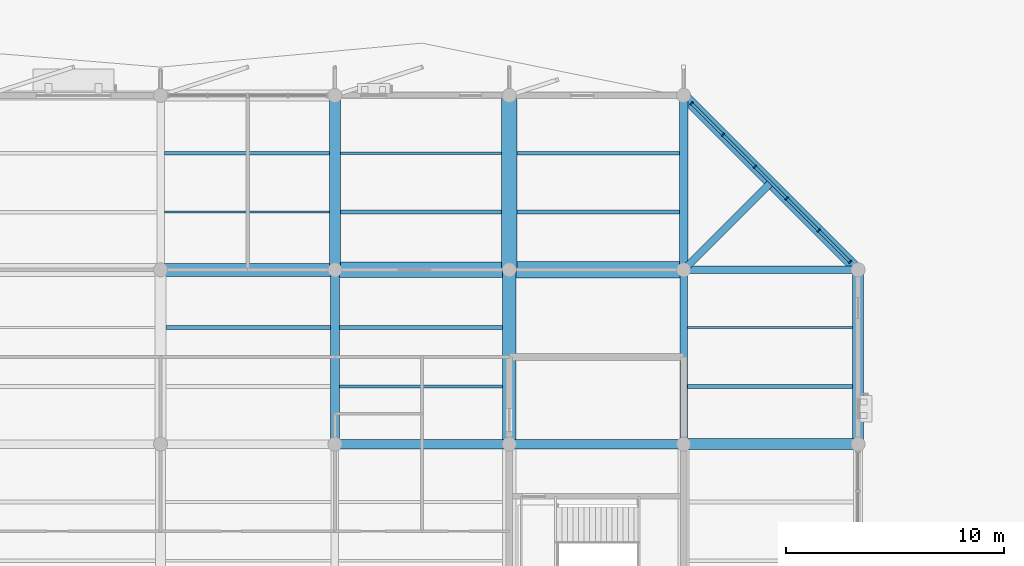
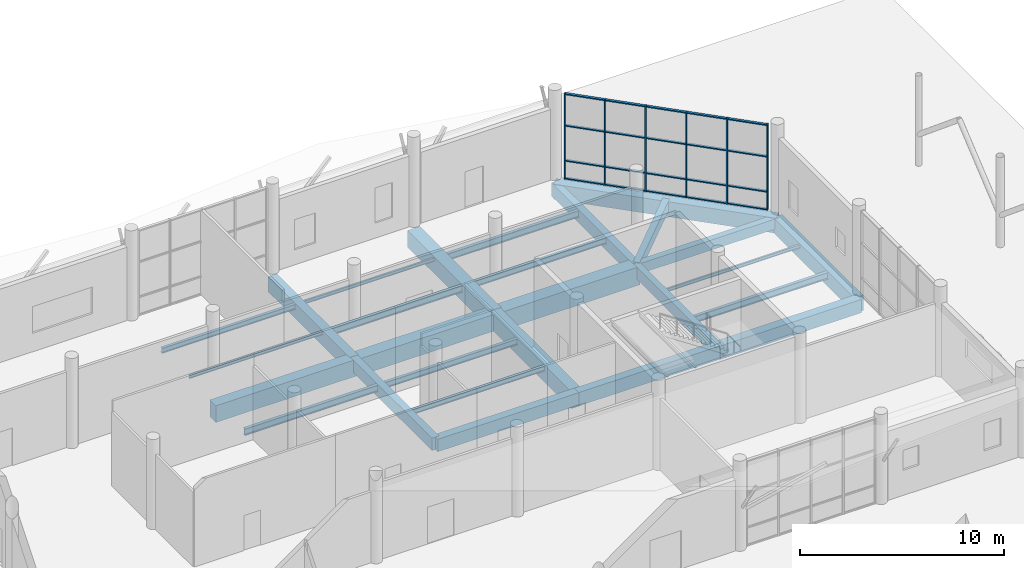
# One storey, part 60 of 123: 27 beams, 26 members, 1 element without a shape of its own.
"""IFC4 building model written with IfcOpenShell, lengths in metres."""

import ifcopenshell
import ifcopenshell.guid

model = None  # the IFC model being written
_history = None  # IfcOwnerHistory: only IFC2X3 demands one
_inside = {}  # id of a spatial element -> (the spatial element, [elements in it])
_under = {}  # id of a project, library or spatial element -> (it, [spatial elements below it])
_declared = {}  # id of a project -> (the project, [libraries it declares])
_typed = {}  # id of a type object -> (the type object, [elements of that type])
_made_of = {}  # id of a material, layer set ... -> (it, [elements and type objects made of it])


def new_model(schema):
    """Start an empty IFC model of exactly this schema.

    Asked for "IFC4X3", IfcOpenShell would pick the latest addendum, in which some entities
    have other attributes; the version numbers below select the first issue.
    IFC2X3 requires an IfcOwnerHistory on every rooted entity: one is made here for all.
    """
    global model, _history
    if schema == "IFC4X3":
        model = ifcopenshell.file(schema_version=(4, 3, 0, 0))
    else:
        model = ifcopenshell.file(schema=schema)
    _inside.clear()
    _under.clear()
    _declared.clear()
    _typed.clear()
    _made_of.clear()
    _history = None
    if model.schema == "IFC2X3":
        org = make("IfcOrganization", Name="unknown")
        user = make(
            "IfcPersonAndOrganization",
            ThePerson=make("IfcPerson", FamilyName="unknown"),
            TheOrganization=org,
        )
        app = make(
            "IfcApplication",
            ApplicationDeveloper=org,
            Version="unknown",
            ApplicationFullName="unknown",
            ApplicationIdentifier="unknown",
        )
        _history = make(
            "IfcOwnerHistory",
            OwningUser=user,
            OwningApplication=app,
            ChangeAction="ADDED",
            CreationDate=0,
        )
    return model


def make(cls, **values):
    """One entity of the class cls with the attributes given. An attribute that is None is left unset."""
    return model.create_entity(
        cls, **{name: value for name, value in values.items() if value is not None}
    )


def rooted(cls, **values):
    """An entity with a GlobalId (a new one), such as an element, a storey or a relation."""
    return make(cls, GlobalId=ifcopenshell.guid.new(), OwnerHistory=_history, **values)


def si_unit(unit_type, name, prefix=None):
    """IfcSIUnit, for example si_unit("LENGTHUNIT", "METRE", prefix="MILLI")."""
    return make("IfcSIUnit", UnitType=unit_type, Prefix=prefix, Name=name)


def assignment(units):
    """IfcUnitAssignment: the units of a project."""
    return None if units is None else make("IfcUnitAssignment", Units=units)


def point(xyz):
    """IfcCartesianPoint."""
    return None if xyz is None else make("IfcCartesianPoint", Coordinates=xyz)


def direction(xyz):
    """IfcDirection."""
    return None if xyz is None else make("IfcDirection", DirectionRatios=xyz)


def frame(location, z_axis=None, x_axis=None):
    """IfcAxis2Placement3D, a coordinate frame: its origin and axes. An axis left out is left unset."""
    return make(
        "IfcAxis2Placement3D",
        Location=point(location),
        Axis=direction(z_axis),
        RefDirection=direction(x_axis),
    )


def frame_2d(location, x_axis=None):
    """IfcAxis2Placement2D, a coordinate frame in the plane: its origin and x axis."""
    return make(
        "IfcAxis2Placement2D", Location=point(location), RefDirection=direction(x_axis)
    )


def origin():
    """The frame at (0, 0, 0) with its axes left unset."""
    return frame((0.0, 0.0, 0.0))


def origin_2d():
    """The frame at (0, 0) in the plane with its x axis left unset."""
    return frame_2d((0.0, 0.0))


def place(relative_to, where):
    """IfcLocalPlacement: puts the frame where relative to a parent placement (None: the world)."""
    return make(
        "IfcLocalPlacement", PlacementRelTo=relative_to, RelativePlacement=where
    )


def context(
    kind, dimensions, precision=None, world=None, true_north=None, identifier=None
):
    """IfcGeometricRepresentationContext, for example the 3D "Model" context."""
    return make(
        "IfcGeometricRepresentationContext",
        ContextIdentifier=identifier,
        ContextType=kind,
        CoordinateSpaceDimension=dimensions,
        Precision=precision,
        WorldCoordinateSystem=world,
        TrueNorth=true_north,
    )


def subcontext(parent, identifier, kind, view, scale=None):
    """IfcGeometricRepresentationSubContext, for example "Body" below "Model"."""
    return make(
        "IfcGeometricRepresentationSubContext",
        ContextIdentifier=identifier,
        ContextType=kind,
        ParentContext=parent,
        TargetScale=scale,
        TargetView=view,
    )


def project(units=None, contexts=None):
    """IfcProject with its units and contexts."""
    return rooted(
        "IfcProject",
        Name="project",
        RepresentationContexts=contexts,
        UnitsInContext=assignment(units),
    )


def spatial(cls, under=None, at=None, **own):
    """A site, building, storey or space (cls), placed at a placement, below another one or the project."""
    s = rooted(cls, ObjectPlacement=at, **own)
    if under is not None:
        _under.setdefault(under.id(), (under, []))[1].append(s)
    return s


def profile(cls, at=None, kind="AREA", **sizes):
    """A parametric profile (cls). Its sizes go by their IFC names, for example OverallWidth=200.0."""
    return make(cls, ProfileType=kind, Position=at, **sizes)


def rectangle(**sizes):
    """IfcRectangleProfileDef."""
    return profile("IfcRectangleProfileDef", **sizes)


def i_section(**sizes):
    """IfcIShapeProfileDef."""
    return profile("IfcIShapeProfileDef", **sizes)


def extrude(swept, where, along, depth):
    """IfcExtrudedAreaSolid: the profile swept, set in the frame where, extruded along a direction by depth."""
    return make(
        "IfcExtrudedAreaSolid",
        SweptArea=swept,
        Position=where,
        ExtrudedDirection=direction(along),
        Depth=depth,
    )


def shape(context_of_items, identifier, shape_type, items):
    """IfcShapeRepresentation: the items that make up one representation, for example the "Body"."""
    return make(
        "IfcShapeRepresentation",
        ContextOfItems=context_of_items,
        RepresentationIdentifier=identifier,
        RepresentationType=shape_type,
        Items=items,
    )


def material(Name=None, Category=None):
    """IfcMaterial."""
    return make("IfcMaterial", Name=Name, Category=Category)


def material_profile(
    of_material, cross_section, Name=None, Category=None, Priority=None
):
    """IfcMaterialProfile: a cross section and its material."""
    return make(
        "IfcMaterialProfile",
        Name=Name,
        Material=of_material,
        Profile=cross_section,
        Priority=Priority,
        Category=Category,
    )


def profile_set(profiles, Name=None, composite=None):
    """IfcMaterialProfileSet."""
    return make(
        "IfcMaterialProfileSet",
        Name=Name,
        MaterialProfiles=profiles,
        CompositeProfile=composite,
    )


def made_of(thing, what):
    """Note that an element or type object is made of a material, layer set ...; save() writes the relation."""
    if what is not None:
        _made_of.setdefault(what.id(), (what, []))[1].append(thing)
    return thing


def type_object(cls, material=None, **own):
    """A type object (cls), such as IfcWallType, which elements share."""
    return made_of(rooted(cls, **own), material)


def element(
    cls,
    number,
    at=None,
    inside=None,
    cuts=None,
    type_object=None,
    material=None,
    context=None,
    identifier="Body",
    shape_type=None,
    held_by="IfcProductDefinitionShape",
    body=None,
    shapes=None,
    **own,
):
    """One element of the class cls, such as IfcWall. Its Tag is "e" and its number.

    at: its placement. inside: the storey or other place that contains it. cuts: it is an
    opening in that element (IfcRelVoidsElement). A single representation is given by context,
    identifier, shape_type and body (its items); several are given by shapes. held_by: the class
    of the entity that holds the representations. save() writes the other relations.
    """
    e = rooted(cls, Tag="e%d" % number, ObjectPlacement=at, **own)
    if body is not None:
        shapes = [shape(context, identifier, shape_type, body)]
    if shapes is not None:
        e.Representation = make(held_by, Representations=shapes)
    if inside is not None:
        _inside.setdefault(inside.id(), (inside, []))[1].append(e)
    if cuts is not None:
        rooted(
            "IfcRelVoidsElement", RelatingBuildingElement=cuts, RelatedOpeningElement=e
        )
    if type_object is not None:
        _typed.setdefault(type_object.id(), (type_object, []))[1].append(e)
    return made_of(e, material)


def aggregate(whole, parts):
    """IfcRelAggregates: a whole, such as a stair, and the parts it consists of."""
    return rooted("IfcRelAggregates", RelatingObject=whole, RelatedObjects=parts)


def save(model, path):
    """Write the relations noted so far, then the file.

    IfcRelAggregates (storeys below a building ...), IfcRelContainedInSpatialStructure (elements
    in a storey), IfcRelDefinesByType, IfcRelAssociatesMaterial and IfcRelDeclares: one each for
    every whole, place, type object, material and project.
    """
    for whole, parts in _under.values():
        aggregate(whole, parts)
    for where, things in _inside.values():
        rooted(
            "IfcRelContainedInSpatialStructure",
            RelatedElements=things,
            RelatingStructure=where,
        )
    for kind, things in _typed.values():
        rooted("IfcRelDefinesByType", RelatedObjects=things, RelatingType=kind)
    for what, things in _made_of.values():
        rooted("IfcRelAssociatesMaterial", RelatedObjects=things, RelatingMaterial=what)
    for by, libraries in _declared.values():
        rooted("IfcRelDeclares", RelatingContext=by, RelatedDefinitions=libraries)
    model.write(path)


model = new_model("IFC4")

# Units and contexts
model_context = context("Model", 3, precision=1e-05, world=origin(), true_north=direction((0.0, 1.0)))
body_context = subcontext(model_context, "Body", "Model", "MODEL_VIEW")
ifc_project = project(units=[si_unit("LENGTHUNIT", "METRE"), si_unit("AREAUNIT", "SQUARE_METRE"), si_unit("VOLUMEUNIT", "CUBIC_METRE"), si_unit("PLANEANGLEUNIT", "RADIAN"), si_unit("MASSUNIT", "GRAM", prefix="KILO")], contexts=[model_context])

# Site, building, storey
site_placement = place(None, origin())
site = spatial("IfcSite", under=ifc_project, at=site_placement, CompositionType="ELEMENT")
building_placement = place(site_placement, origin())
building = spatial("IfcBuilding", under=site, at=building_placement, Name="Tenunan Teduh Sports Hall", CompositionType="ELEMENT")
storey_placement = place(building_placement, origin())
storey = spatial("IfcBuildingStorey", under=building, at=storey_placement, Name="L00", CompositionType="ELEMENT", Elevation=0.0)

# Beams
ifc_material_1 = material(Name="Concrete C40/50", Category="concrete")
ifc_material_profile_1 = material_profile(ifc_material_1, rectangle(XDim=0.35009765625, YDim=0.60009765625, at=origin_2d()), Name="RCB 350x600")
ifc_profile_set_1 = profile_set([ifc_material_profile_1], Name="Concrete C40/50")
beam_type_1 = type_object("IfcBeamType", Name="BM-RC-350x600", PredefinedType="BEAM", material=ifc_profile_set_1)
beam_1_placement = place(storey_placement, frame((154.0, 110.0, -0.580078125), z_axis=(1.0, 0.0, 0.0), x_axis=(0.0, 1.0, 0.0)))
element("IfcBeam", 1, at=beam_1_placement, inside=storey, type_object=beam_type_1, Name="BM-B-04-L00-0749", PredefinedType="BEAM", context=body_context, shape_type="SweptSolid", body=[
    extrude(rectangle(XDim=0.35009765625, YDim=0.60009765625, at=origin_2d()), origin(), (0.0, 0.0, 1.0), 8.0),
])
beam_2_placement = place(storey_placement, frame((154.0, 110.0, -0.56005859375), z_axis=(0.707106781187, 0.707106781187, 0.0), x_axis=(-0.707106781187, 0.707106781187, 0.0)))
element("IfcBeam", 2, at=beam_2_placement, inside=storey, type_object=beam_type_1, Name="BM-B-04-L00-2234", PredefinedType="BEAM", context=body_context, shape_type="SweptSolid", body=[
    extrude(rectangle(XDim=0.35009765625, YDim=0.60009765625, at=origin_2d()), origin(), (0.0, 0.0, 1.0), 5.65673828125),
])
ifc_material_2 = material(Name="Concrete C40/50", Category="concrete")
ifc_material_profile_2 = material_profile(ifc_material_2, rectangle(XDim=0.39990234375, YDim=0.75, at=origin_2d()), Name="RCB 400x750")
ifc_profile_set_2 = profile_set([ifc_material_profile_2], Name="Concrete C40/50")
beam_type_2 = type_object("IfcBeamType", Name="BM-RC-400x750", PredefinedType="BEAM", material=ifc_profile_set_2)
beam_3_placement = place(storey_placement, frame((138.0, 102.0, -0.655029296875), z_axis=(0.0, 1.0, 0.0), x_axis=(-1.0, 0.0, 0.0)))
element("IfcBeam", 3, at=beam_3_placement, inside=storey, type_object=beam_type_2, Name="BM-B-09-L00-0866", PredefinedType="BEAM", context=body_context, shape_type="SweptSolid", body=[
    extrude(rectangle(XDim=0.39990234375, YDim=0.75, at=origin_2d()), origin(), (0.0, 0.0, 1.0), 8.0),
])
ifc_material_3 = material(Name="Concrete C40/50", Category="concrete")
ifc_material_profile_3 = material_profile(ifc_material_3, rectangle(XDim=0.449951171875, YDim=0.75, at=origin_2d()), Name="RCB 450x750")
ifc_profile_set_3 = profile_set([ifc_material_profile_3], Name="Concrete C40/50")
beam_type_3 = type_object("IfcBeamType", Name="BM-RC-450x750", PredefinedType="BEAM", material=ifc_profile_set_3)
beam_4_placement = place(storey_placement, frame((138.0, 102.0, -0.655029296875), z_axis=(1.0, 0.0, 0.0), x_axis=(0.0, 1.0, 0.0)))
element("IfcBeam", 4, at=beam_4_placement, inside=storey, type_object=beam_type_3, Name="BM-B-11-L00-0730", PredefinedType="BEAM", context=body_context, shape_type="SweptSolid", body=[
    extrude(rectangle(XDim=0.449951171875, YDim=0.75, at=origin_2d()), origin(), (0.0, 0.0, 1.0), 8.0),
])
ifc_material_4 = material(Name="Concrete C40/50", Category="concrete")
ifc_material_profile_4 = material_profile(ifc_material_4, rectangle(XDim=0.449951171875, YDim=0.800048828125, at=origin_2d()), Name="RCB 450x800")
ifc_profile_set_4 = profile_set([ifc_material_profile_4], Name="Concrete C40/50")
beam_type_4 = type_object("IfcBeamType", Name="BM-RC-450x800", PredefinedType="BEAM", material=ifc_profile_set_4)
beam_5_placement = place(storey_placement, frame((146.0, 102.0, -0.679931640625), z_axis=(1.0, 0.0, 0.0), x_axis=(0.0, 1.0, 0.0)))
element("IfcBeam", 5, at=beam_5_placement, inside=storey, type_object=beam_type_4, Name="BM-B-12-L00-0731", PredefinedType="BEAM", context=body_context, shape_type="SweptSolid", body=[
    extrude(rectangle(XDim=0.449951171875, YDim=0.800048828125, at=origin_2d()), origin(), (0.0, 0.0, 1.0), 8.0),
])
ifc_material_5 = material(Name="Concrete C40/50", Category="concrete")
ifc_material_profile_5 = material_profile(ifc_material_5, rectangle(XDim=0.5, YDim=0.800048828125, at=origin_2d()), Name="RCB 500x800")
ifc_profile_set_5 = profile_set([ifc_material_profile_5], Name="Concrete C40/50")
beam_type_5 = type_object("IfcBeamType", Name="BM-RC-500x800", PredefinedType="BEAM", material=ifc_profile_set_5)
beam_6_placement = place(storey_placement, frame((154.0, 102.0, -0.679931640625), z_axis=(1.0, 0.0, 0.0), x_axis=(0.0, 1.0, 0.0)))
element("IfcBeam", 6, at=beam_6_placement, inside=storey, type_object=beam_type_5, Name="BM-B-14-L00-0732", PredefinedType="BEAM", context=body_context, shape_type="SweptSolid", body=[
    extrude(rectangle(XDim=0.5, YDim=0.800048828125, at=origin_2d()), origin(), (0.0, 0.0, 1.0), 8.0),
])
ifc_material_6 = material(Name="Concrete C40/50", Category="concrete")
ifc_material_profile_6 = material_profile(ifc_material_6, rectangle(XDim=0.5, YDim=0.89990234375, at=origin_2d()), Name="RCB 500x900")
ifc_profile_set_6 = profile_set([ifc_material_profile_6], Name="Concrete C40/50")
beam_type_6 = type_object("IfcBeamType", Name="BM-RC-500x900", PredefinedType="BEAM", material=ifc_profile_set_6)
beam_7_placement = place(storey_placement, frame((154.0, 118.0, -0.7099609375), z_axis=(0.707106781187, -0.707106781187, 0.0), x_axis=(0.707106781187, 0.707106781187, 0.0)))
element("IfcBeam", 7, at=beam_7_placement, inside=storey, type_object=beam_type_6, Name="BM-B-15-L00-0599", PredefinedType="BEAM", context=body_context, shape_type="SweptSolid", body=[
    extrude(rectangle(XDim=0.5, YDim=0.89990234375, at=origin_2d()), origin(), (0.0, 0.0, 1.0), 11.313720703125),
])
for number, where, z_axis, x_axis, name in (
    (8, (138.0, 110.0, -0.72998046875), (0.0, 1.0, 0.0), (-1.0, 0.0, 0.0), "BM-B-15-L00-0867"),
    (9, (162.0, 102.0, -0.72998046875), (0.0, 1.0, 0.0), (-1.0, 0.0, 0.0), "BM-B-15-L00-0889"),
):
    element("IfcBeam", number, at=place(storey_placement, frame(where, z_axis=z_axis, x_axis=x_axis)), inside=storey, type_object=beam_type_6, Name=name, PredefinedType="BEAM", context=body_context, shape_type="SweptSolid", body=[
        extrude(rectangle(XDim=0.5, YDim=0.89990234375, at=origin_2d()), origin(), (0.0, 0.0, 1.0), 8.0),
    ])
ifc_material_7 = material(Name="Concrete C40/50", Category="concrete")
ifc_material_profile_7 = material_profile(ifc_material_7, rectangle(XDim=0.60009765625, YDim=1.0, at=origin_2d()), Name="RCB 600x1000")
ifc_profile_set_7 = profile_set([ifc_material_profile_7], Name="Concrete C40/50")
beam_type_7 = type_object("IfcBeamType", Name="BM-RC-600x1000", PredefinedType="BEAM", material=ifc_profile_set_7)
for number, where, z_axis, x_axis, name in (
    (10, (130.0, 110.0, -0.780029296875), (1.0, 0.0, 0.0), (0.0, 1.0, 0.0), "BM-B-18-L00-0746"),
    (11, (146.0, 102.0, -0.780029296875), (0.0, 1.0, 0.0), (-1.0, 0.0, 0.0), "BM-B-18-L00-0875"),
):
    element("IfcBeam", number, at=place(storey_placement, frame(where, z_axis=z_axis, x_axis=x_axis)), inside=storey, type_object=beam_type_7, Name=name, PredefinedType="BEAM", context=body_context, shape_type="SweptSolid", body=[
        extrude(rectangle(XDim=0.60009765625, YDim=1.0, at=origin_2d()), origin(), (0.0, 0.0, 1.0), 8.0),
    ])
ifc_material_8 = material(Name="Concrete C40/50", Category="concrete")
ifc_material_profile_8 = material_profile(ifc_material_8, rectangle(XDim=0.699951171875, YDim=1.0, at=origin_2d()), Name="RCB 700x1000")
ifc_profile_set_8 = profile_set([ifc_material_profile_8], Name="Concrete C40/50")
beam_type_8 = type_object("IfcBeamType", Name="BM-RC-700x1000", PredefinedType="SPANDREL", material=ifc_profile_set_8)
for number, where, z_axis, x_axis, name in (
    (12, (138.0, 110.0, -0.780029296875), (1.0, 0.0, 0.0), (0.0, 1.0, 0.0), "BM-B-19-L00-0747"),
    (13, (146.0, 110.0, -0.780029296875), (0.0, 1.0, 0.0), (-1.0, 0.0, 0.0), "BM-B-19-L00-0876"),
):
    element("IfcBeam", number, at=place(storey_placement, frame(where, z_axis=z_axis, x_axis=x_axis)), inside=storey, type_object=beam_type_8, Name=name, PredefinedType="SPANDREL", context=body_context, shape_type="SweptSolid", body=[
        extrude(rectangle(XDim=0.699951171875, YDim=1.0, at=origin_2d()), origin(), (0.0, 0.0, 1.0), 8.0),
    ])
ifc_material_9 = material(Name="Concrete C40/50", Category="concrete")
ifc_material_profile_9 = material_profile(ifc_material_9, rectangle(XDim=0.75, YDim=1.10009765625, at=origin_2d()), Name="RCB 750x1100")
ifc_profile_set_9 = profile_set([ifc_material_profile_9], Name="Concrete C40/50")
beam_type_9 = type_object("IfcBeamType", Name="BM-RC-750x1100", PredefinedType="SPANDREL", material=ifc_profile_set_9)
beam_8_placement = place(storey_placement, frame((146.0, 110.0, -0.830078125), z_axis=(1.0, 0.0, 0.0), x_axis=(0.0, 1.0, 0.0)))
element("IfcBeam", 14, at=beam_8_placement, inside=storey, type_object=beam_type_9, Name="BM-B-20-L00-0748", PredefinedType="SPANDREL", context=body_context, shape_type="SweptSolid", body=[
    extrude(rectangle(XDim=0.75, YDim=1.10009765625, at=origin_2d()), origin(), (0.0, 0.0, 1.0), 8.0),
])
ifc_material_10 = material(Name="Concrete C40/50", Category="concrete")
ifc_material_profile_10 = material_profile(ifc_material_10, rectangle(XDim=0.35009765625, YDim=0.719970703125, at=origin_2d()), Name="TB 350x720")
ifc_profile_set_10 = profile_set([ifc_material_profile_10], Name="Concrete C40/50")
beam_type_10 = type_object("IfcBeamType", Name="BM-TB-350x720", PredefinedType="T_BEAM", material=ifc_profile_set_10)
beam_9_placement = place(storey_placement, frame((154.0, 102.0, -0.639892578125), z_axis=(0.0, 1.0, 0.0), x_axis=(-1.0, 0.0, 0.0)))
element("IfcBeam", 15, at=beam_9_placement, inside=storey, type_object=beam_type_10, Name="BM-TB-01-L00-0884", PredefinedType="T_BEAM", context=body_context, shape_type="SweptSolid", body=[
    extrude(rectangle(XDim=0.35009765625, YDim=0.719970703125, at=origin_2d()), origin(), (0.0, 0.0, 1.0), 8.0),
])
ifc_material_11 = material(Name="Concrete C40/50", Category="concrete")
ifc_material_profile_11 = material_profile(ifc_material_11, rectangle(XDim=0.39990234375, YDim=0.780029296875, at=origin_2d()), Name="TB 400x780")
ifc_profile_set_11 = profile_set([ifc_material_profile_11], Name="Concrete C40/50")
beam_type_11 = type_object("IfcBeamType", Name="BM-TB-400x780", PredefinedType="T_BEAM", material=ifc_profile_set_11)
beam_10_placement = place(storey_placement, frame((154.0, 110.0, -0.669921875), z_axis=(0.0, 1.0, 0.0), x_axis=(-1.0, 0.0, 0.0)))
element("IfcBeam", 16, at=beam_10_placement, inside=storey, type_object=beam_type_11, Name="BM-TB-02-L00-0885", PredefinedType="T_BEAM", context=body_context, shape_type="SweptSolid", body=[
    extrude(rectangle(XDim=0.39990234375, YDim=0.780029296875, at=origin_2d()), origin(), (0.0, 0.0, 1.0), 8.0),
])

# Curtain wall, members
ifc_material_12 = material(Name="Anodised aluminium", Category="aluminium")
curtain_wall_type = type_object("IfcCurtainWallType", Name="CW-UNIT-1", PredefinedType="NOTDEFINED", material=ifc_material_12)
curtain_wall_placement = place(storey_placement, origin())
curtain_wall = element("IfcCurtainWall", 17, at=curtain_wall_placement, inside=storey, type_object=curtain_wall_type, Name="CW-CWM-175-L00-238", PredefinedType="NOTDEFINED")
ifc_material_13 = material(Name="Anodised aluminium", Category="aluminium")
ifc_material_profile_12 = material_profile(ifc_material_13, rectangle(XDim=0.06494140625, YDim=0.175048828125, at=origin_2d()), Name="CWM 65x175")
ifc_profile_set_12 = profile_set([ifc_material_profile_12], Name="Anodised aluminium")
member_type_1 = type_object("IfcMemberType", Name="CWM-175", PredefinedType="MULLION", material=ifc_profile_set_12)
member_1_placement = place(storey_placement, frame((154.3642578125, 117.6357421875, 0.0), z_axis=(0.0, 0.0, 1.0), x_axis=(-0.707106781187, 0.707106781187, 0.0)))
member_1 = element("IfcMember", 18, at=member_1_placement, type_object=member_type_1, Name="CW-01 mullion 1", PredefinedType="MULLION", context=body_context, shape_type="SweptSolid", body=[
    extrude(rectangle(XDim=0.06494140625, YDim=0.175048828125, at=origin_2d()), origin(), (0.0, 0.0, 1.0), 5.1201171875),
])
member_2_placement = place(storey_placement, frame((155.8046875, 116.1953125, 0.0), z_axis=(0.0, 0.0, 1.0), x_axis=(-0.707106781187, 0.707106781187, 0.0)))
member_2 = element("IfcMember", 19, at=member_2_placement, type_object=member_type_1, Name="CW-01 mullion 2", PredefinedType="MULLION", context=body_context, shape_type="SweptSolid", body=[
    extrude(rectangle(XDim=0.06494140625, YDim=0.175048828125, at=origin_2d()), origin(), (0.0, 0.0, 1.0), 5.1201171875),
])
member_3_placement = place(storey_placement, frame((157.268310546875, 114.731689453125, 0.0), z_axis=(0.0, 0.0, 1.0), x_axis=(-0.707106781187, 0.707106781187, 0.0)))
member_3 = element("IfcMember", 20, at=member_3_placement, type_object=member_type_1, Name="CW-01 mullion 3", PredefinedType="MULLION", context=body_context, shape_type="SweptSolid", body=[
    extrude(rectangle(XDim=0.06494140625, YDim=0.175048828125, at=origin_2d()), origin(), (0.0, 0.0, 1.0), 5.1201171875),
])
member_4_placement = place(storey_placement, frame((158.731689453125, 113.268310546875, 0.0), z_axis=(0.0, 0.0, 1.0), x_axis=(-0.707106781187, 0.707106781187, 0.0)))
member_4 = element("IfcMember", 21, at=member_4_placement, type_object=member_type_1, Name="CW-01 mullion 4", PredefinedType="MULLION", context=body_context, shape_type="SweptSolid", body=[
    extrude(rectangle(XDim=0.06494140625, YDim=0.175048828125, at=origin_2d()), origin(), (0.0, 0.0, 1.0), 5.1201171875),
])
member_5_placement = place(storey_placement, frame((160.1953125, 111.8046875, 0.0), z_axis=(0.0, 0.0, 1.0), x_axis=(-0.707106781187, 0.707106781187, 0.0)))
member_5 = element("IfcMember", 22, at=member_5_placement, type_object=member_type_1, Name="CW-01 mullion 5", PredefinedType="MULLION", context=body_context, shape_type="SweptSolid", body=[
    extrude(rectangle(XDim=0.06494140625, YDim=0.175048828125, at=origin_2d()), origin(), (0.0, 0.0, 1.0), 5.1201171875),
])
member_6_placement = place(storey_placement, frame((161.6357421875, 110.3642578125, 0.0), z_axis=(0.0, 0.0, 1.0), x_axis=(-0.707106781187, 0.707106781187, 0.0)))
member_6 = element("IfcMember", 23, at=member_6_placement, type_object=member_type_1, Name="CW-01 mullion 6", PredefinedType="MULLION", context=body_context, shape_type="SweptSolid", body=[
    extrude(rectangle(XDim=0.06494140625, YDim=0.175048828125, at=origin_2d()), origin(), (0.0, 0.0, 1.0), 5.1201171875),
])
ifc_material_14 = material(Name="Anodised aluminium", Category="aluminium")
ifc_material_profile_13 = material_profile(ifc_material_14, rectangle(XDim=0.06494140625, YDim=0.139892578125, at=origin_2d()), Name="CWT 65x140")
ifc_profile_set_13 = profile_set([ifc_material_profile_13], Name="Anodised aluminium")
member_type_2 = type_object("IfcMemberType", Name="CWT-150", PredefinedType="USERDEFINED", material=ifc_profile_set_13)
member_7_placement = place(storey_placement, frame((154.38720703125, 117.61279296875, 0.032470703125), z_axis=(0.707106781187, -0.707106781187, 0.0), x_axis=(0.0, 0.0, 1.0)))
member_7 = element("IfcMember", 24, at=member_7_placement, type_object=member_type_2, Name="CW-01 transom 1.1", ObjectType="TRANSOM", PredefinedType="USERDEFINED", context=body_context, shape_type="SweptSolid", body=[
    extrude(rectangle(XDim=0.06494140625, YDim=0.139892578125, at=origin_2d()), origin(), (0.0, 0.0, 1.0), 1.97216796875),
])
member_8_placement = place(storey_placement, frame((154.38720703125, 117.61279296875, 1.10009765625), z_axis=(0.707106781187, -0.707106781187, 0.0), x_axis=(0.0, 0.0, 1.0)))
member_8 = element("IfcMember", 25, at=member_8_placement, type_object=member_type_2, Name="CW-01 transom 1.2", ObjectType="TRANSOM", PredefinedType="USERDEFINED", context=body_context, shape_type="SweptSolid", body=[
    extrude(rectangle(XDim=0.06494140625, YDim=0.139892578125, at=origin_2d()), origin(), (0.0, 0.0, 1.0), 1.97216796875),
])
member_9_placement = place(storey_placement, frame((154.38720703125, 117.61279296875, 3.199951171875), z_axis=(0.707106781187, -0.707106781187, 0.0), x_axis=(0.0, 0.0, 1.0)))
member_9 = element("IfcMember", 26, at=member_9_placement, type_object=member_type_2, Name="CW-01 transom 1.3", ObjectType="TRANSOM", PredefinedType="USERDEFINED", context=body_context, shape_type="SweptSolid", body=[
    extrude(rectangle(XDim=0.06494140625, YDim=0.139892578125, at=origin_2d()), origin(), (0.0, 0.0, 1.0), 1.97216796875),
])
member_10_placement = place(storey_placement, frame((154.38720703125, 117.61279296875, 5.08740234375), z_axis=(0.707106781187, -0.707106781187, 0.0), x_axis=(0.0, 0.0, 1.0)))
member_10 = element("IfcMember", 27, at=member_10_placement, type_object=member_type_2, Name="CW-01 transom 1.4", ObjectType="TRANSOM", PredefinedType="USERDEFINED", context=body_context, shape_type="SweptSolid", body=[
    extrude(rectangle(XDim=0.06494140625, YDim=0.139892578125, at=origin_2d()), origin(), (0.0, 0.0, 1.0), 1.97216796875),
])
member_11_placement = place(storey_placement, frame((155.827880859375, 116.172119140625, 0.032470703125), z_axis=(0.707106781187, -0.707106781187, 0.0), x_axis=(0.0, 0.0, 1.0)))
member_11 = element("IfcMember", 28, at=member_11_placement, type_object=member_type_2, Name="CW-01 transom 2.1", ObjectType="TRANSOM", PredefinedType="USERDEFINED", context=body_context, shape_type="SweptSolid", body=[
    extrude(rectangle(XDim=0.06494140625, YDim=0.139892578125, at=origin_2d()), origin(), (0.0, 0.0, 1.0), 2.004638671875),
])
member_12_placement = place(storey_placement, frame((155.827880859375, 116.172119140625, 1.10009765625), z_axis=(0.707106781187, -0.707106781187, 0.0), x_axis=(0.0, 0.0, 1.0)))
member_12 = element("IfcMember", 29, at=member_12_placement, type_object=member_type_2, Name="CW-01 transom 2.2", ObjectType="TRANSOM", PredefinedType="USERDEFINED", context=body_context, shape_type="SweptSolid", body=[
    extrude(rectangle(XDim=0.06494140625, YDim=0.139892578125, at=origin_2d()), origin(), (0.0, 0.0, 1.0), 2.004638671875),
])
member_13_placement = place(storey_placement, frame((155.827880859375, 116.172119140625, 3.199951171875), z_axis=(0.707106781187, -0.707106781187, 0.0), x_axis=(0.0, 0.0, 1.0)))
member_13 = element("IfcMember", 30, at=member_13_placement, type_object=member_type_2, Name="CW-01 transom 2.3", ObjectType="TRANSOM", PredefinedType="USERDEFINED", context=body_context, shape_type="SweptSolid", body=[
    extrude(rectangle(XDim=0.06494140625, YDim=0.139892578125, at=origin_2d()), origin(), (0.0, 0.0, 1.0), 2.004638671875),
])
member_14_placement = place(storey_placement, frame((155.827880859375, 116.172119140625, 5.08740234375), z_axis=(0.707106781187, -0.707106781187, 0.0), x_axis=(0.0, 0.0, 1.0)))
member_14 = element("IfcMember", 31, at=member_14_placement, type_object=member_type_2, Name="CW-01 transom 2.4", ObjectType="TRANSOM", PredefinedType="USERDEFINED", context=body_context, shape_type="SweptSolid", body=[
    extrude(rectangle(XDim=0.06494140625, YDim=0.139892578125, at=origin_2d()), origin(), (0.0, 0.0, 1.0), 2.004638671875),
])
member_15_placement = place(storey_placement, frame((157.291259765625, 114.708740234375, 0.032470703125), z_axis=(0.707106781187, -0.707106781187, 0.0), x_axis=(0.0, 0.0, 1.0)))
member_15 = element("IfcMember", 32, at=member_15_placement, type_object=member_type_2, Name="CW-01 transom 3.1", ObjectType="TRANSOM", PredefinedType="USERDEFINED", context=body_context, shape_type="SweptSolid", body=[
    extrude(rectangle(XDim=0.06494140625, YDim=0.139892578125, at=origin_2d()), origin(), (0.0, 0.0, 1.0), 2.004638671875),
])
member_16_placement = place(storey_placement, frame((157.291259765625, 114.708740234375, 1.10009765625), z_axis=(0.707106781187, -0.707106781187, 0.0), x_axis=(0.0, 0.0, 1.0)))
member_16 = element("IfcMember", 33, at=member_16_placement, type_object=member_type_2, Name="CW-01 transom 3.2", ObjectType="TRANSOM", PredefinedType="USERDEFINED", context=body_context, shape_type="SweptSolid", body=[
    extrude(rectangle(XDim=0.06494140625, YDim=0.139892578125, at=origin_2d()), origin(), (0.0, 0.0, 1.0), 2.004638671875),
])
member_17_placement = place(storey_placement, frame((157.291259765625, 114.708740234375, 3.199951171875), z_axis=(0.707106781187, -0.707106781187, 0.0), x_axis=(0.0, 0.0, 1.0)))
member_17 = element("IfcMember", 34, at=member_17_placement, type_object=member_type_2, Name="CW-01 transom 3.3", ObjectType="TRANSOM", PredefinedType="USERDEFINED", context=body_context, shape_type="SweptSolid", body=[
    extrude(rectangle(XDim=0.06494140625, YDim=0.139892578125, at=origin_2d()), origin(), (0.0, 0.0, 1.0), 2.004638671875),
])
member_18_placement = place(storey_placement, frame((157.291259765625, 114.708740234375, 5.08740234375), z_axis=(0.707106781187, -0.707106781187, 0.0), x_axis=(0.0, 0.0, 1.0)))
member_18 = element("IfcMember", 35, at=member_18_placement, type_object=member_type_2, Name="CW-01 transom 3.4", ObjectType="TRANSOM", PredefinedType="USERDEFINED", context=body_context, shape_type="SweptSolid", body=[
    extrude(rectangle(XDim=0.06494140625, YDim=0.139892578125, at=origin_2d()), origin(), (0.0, 0.0, 1.0), 2.004638671875),
])
member_19_placement = place(storey_placement, frame((158.754638671875, 113.245361328125, 0.032470703125), z_axis=(0.707106781187, -0.707106781187, 0.0), x_axis=(0.0, 0.0, 1.0)))
member_19 = element("IfcMember", 36, at=member_19_placement, type_object=member_type_2, Name="CW-01 transom 4.1", ObjectType="TRANSOM", PredefinedType="USERDEFINED", context=body_context, shape_type="SweptSolid", body=[
    extrude(rectangle(XDim=0.06494140625, YDim=0.139892578125, at=origin_2d()), origin(), (0.0, 0.0, 1.0), 2.004638671875),
])
member_20_placement = place(storey_placement, frame((158.754638671875, 113.245361328125, 1.10009765625), z_axis=(0.707106781187, -0.707106781187, 0.0), x_axis=(0.0, 0.0, 1.0)))
member_20 = element("IfcMember", 37, at=member_20_placement, type_object=member_type_2, Name="CW-01 transom 4.2", ObjectType="TRANSOM", PredefinedType="USERDEFINED", context=body_context, shape_type="SweptSolid", body=[
    extrude(rectangle(XDim=0.06494140625, YDim=0.139892578125, at=origin_2d()), origin(), (0.0, 0.0, 1.0), 2.004638671875),
])
member_21_placement = place(storey_placement, frame((158.754638671875, 113.245361328125, 3.199951171875), z_axis=(0.707106781187, -0.707106781187, 0.0), x_axis=(0.0, 0.0, 1.0)))
member_21 = element("IfcMember", 38, at=member_21_placement, type_object=member_type_2, Name="CW-01 transom 4.3", ObjectType="TRANSOM", PredefinedType="USERDEFINED", context=body_context, shape_type="SweptSolid", body=[
    extrude(rectangle(XDim=0.06494140625, YDim=0.139892578125, at=origin_2d()), origin(), (0.0, 0.0, 1.0), 2.004638671875),
])
member_22_placement = place(storey_placement, frame((158.754638671875, 113.245361328125, 5.08740234375), z_axis=(0.707106781187, -0.707106781187, 0.0), x_axis=(0.0, 0.0, 1.0)))
member_22 = element("IfcMember", 39, at=member_22_placement, type_object=member_type_2, Name="CW-01 transom 4.4", ObjectType="TRANSOM", PredefinedType="USERDEFINED", context=body_context, shape_type="SweptSolid", body=[
    extrude(rectangle(XDim=0.06494140625, YDim=0.139892578125, at=origin_2d()), origin(), (0.0, 0.0, 1.0), 2.004638671875),
])
member_23_placement = place(storey_placement, frame((160.21826171875, 111.78173828125, 0.032470703125), z_axis=(0.707106781187, -0.707106781187, 0.0), x_axis=(0.0, 0.0, 1.0)))
member_23 = element("IfcMember", 40, at=member_23_placement, type_object=member_type_2, Name="CW-01 transom 5.1", ObjectType="TRANSOM", PredefinedType="USERDEFINED", context=body_context, shape_type="SweptSolid", body=[
    extrude(rectangle(XDim=0.06494140625, YDim=0.139892578125, at=origin_2d()), origin(), (0.0, 0.0, 1.0), 1.97216796875),
])
member_24_placement = place(storey_placement, frame((160.21826171875, 111.78173828125, 1.10009765625), z_axis=(0.707106781187, -0.707106781187, 0.0), x_axis=(0.0, 0.0, 1.0)))
member_24 = element("IfcMember", 41, at=member_24_placement, type_object=member_type_2, Name="CW-01 transom 5.2", ObjectType="TRANSOM", PredefinedType="USERDEFINED", context=body_context, shape_type="SweptSolid", body=[
    extrude(rectangle(XDim=0.06494140625, YDim=0.139892578125, at=origin_2d()), origin(), (0.0, 0.0, 1.0), 1.97216796875),
])
member_25_placement = place(storey_placement, frame((160.21826171875, 111.78173828125, 3.199951171875), z_axis=(0.707106781187, -0.707106781187, 0.0), x_axis=(0.0, 0.0, 1.0)))
member_25 = element("IfcMember", 42, at=member_25_placement, type_object=member_type_2, Name="CW-01 transom 5.3", ObjectType="TRANSOM", PredefinedType="USERDEFINED", context=body_context, shape_type="SweptSolid", body=[
    extrude(rectangle(XDim=0.06494140625, YDim=0.139892578125, at=origin_2d()), origin(), (0.0, 0.0, 1.0), 1.97216796875),
])
member_26_placement = place(storey_placement, frame((160.21826171875, 111.78173828125, 5.08740234375), z_axis=(0.707106781187, -0.707106781187, 0.0), x_axis=(0.0, 0.0, 1.0)))
member_26 = element("IfcMember", 43, at=member_26_placement, type_object=member_type_2, Name="CW-01 transom 5.4", ObjectType="TRANSOM", PredefinedType="USERDEFINED", context=body_context, shape_type="SweptSolid", body=[
    extrude(rectangle(XDim=0.06494140625, YDim=0.139892578125, at=origin_2d()), origin(), (0.0, 0.0, 1.0), 1.97216796875),
])
aggregate(curtain_wall, [member_1, member_2, member_3, member_4, member_5, member_6, member_7, member_8, member_9, member_10, member_11, member_12, member_13, member_14, member_15, member_16, member_17, member_18, member_19, member_20, member_21, member_22, member_23, member_24, member_25, member_26])

# Beams
ifc_material_15 = material(Name="Steel S355", Category="steel")
ifc_material_profile_14 = material_profile(ifc_material_15, i_section(OverallWidth=0.10009765625, OverallDepth=0.199951171875, WebThickness=0.005615234375, FlangeThickness=0.008544921875, FilletRadius=0.011962890625, at=origin_2d()), Name="IPE 200")
ifc_profile_set_14 = profile_set([ifc_material_profile_14], Name="Steel S355")
beam_type_12 = type_object("IfcBeamType", Name="JST-IPE200", PredefinedType="JOIST", material=ifc_profile_set_14)
beam_11_placement = place(storey_placement, frame((130.175048828125, 112.64990234375, -0.3798828125), z_axis=(1.0, 0.0, 0.0), x_axis=(0.0, 1.0, 0.0)))
element("IfcBeam", 44, at=beam_11_placement, inside=storey, type_object=beam_type_12, Name="BM-J-01-L00-1018", PredefinedType="JOIST", context=body_context, shape_type="SweptSolid", body=[
    extrude(i_section(OverallWidth=0.10009765625, OverallDepth=0.199951171875, WebThickness=0.005615234375, FlangeThickness=0.008544921875, FilletRadius=0.011962890625, at=origin_2d()), origin(), (0.0, 0.0, 1.0), 7.574951171875),
])
beam_12_placement = place(storey_placement, frame((138.25, 115.35009765625, -0.3798828125), z_axis=(1.0, 0.0, 0.0), x_axis=(0.0, 1.0, 0.0)))
element("IfcBeam", 45, at=beam_12_placement, inside=storey, type_object=beam_type_12, Name="BM-J-01-L00-1029", PredefinedType="JOIST", context=body_context, shape_type="SweptSolid", body=[
    extrude(i_section(OverallWidth=0.10009765625, OverallDepth=0.199951171875, WebThickness=0.005615234375, FlangeThickness=0.008544921875, FilletRadius=0.011962890625, at=origin_2d()), origin(), (0.0, 0.0, 1.0), 7.39990234375),
])
beam_13_placement = place(storey_placement, frame((154.175048828125, 107.35009765625, -0.3798828125), z_axis=(1.0, 0.0, 0.0), x_axis=(0.0, 1.0, 0.0)))
element("IfcBeam", 46, at=beam_13_placement, inside=storey, type_object=beam_type_12, Name="BM-J-01-L00-1051", PredefinedType="JOIST", context=body_context, shape_type="SweptSolid", body=[
    extrude(i_section(OverallWidth=0.10009765625, OverallDepth=0.199951171875, WebThickness=0.005615234375, FlangeThickness=0.008544921875, FilletRadius=0.011962890625, at=origin_2d()), origin(), (0.0, 0.0, 1.0), 7.574951171875),
])
ifc_material_16 = material(Name="Steel S355", Category="steel")
ifc_material_profile_15 = material_profile(ifc_material_16, i_section(OverallWidth=0.14990234375, OverallDepth=0.300048828125, WebThickness=0.007080078125, FlangeThickness=0.0107421875, FilletRadius=0.014892578125, at=origin_2d()), Name="IPE 300")
ifc_profile_set_15 = profile_set([ifc_material_profile_15], Name="Steel S355")
beam_type_13 = type_object("IfcBeamType", Name="JST-IPE300", PredefinedType="JOIST", material=ifc_profile_set_15)
beam_14_placement = place(storey_placement, frame((138.199951171875, 104.64990234375, -0.429931640625), z_axis=(1.0, 0.0, 0.0), x_axis=(0.0, 1.0, 0.0)))
element("IfcBeam", 47, at=beam_14_placement, inside=storey, type_object=beam_type_13, Name="BM-J-04-L00-1026", PredefinedType="JOIST", context=body_context, shape_type="SweptSolid", body=[
    extrude(i_section(OverallWidth=0.14990234375, OverallDepth=0.300048828125, WebThickness=0.007080078125, FlangeThickness=0.0107421875, FilletRadius=0.014892578125, at=origin_2d()), origin(), (0.0, 0.0, 1.0), 7.5),
])
ifc_material_17 = material(Name="Steel S355", Category="steel")
ifc_material_profile_16 = material_profile(ifc_material_17, i_section(OverallWidth=0.169921875, OverallDepth=0.360107421875, WebThickness=0.008056640625, FlangeThickness=0.0126953125, FilletRadius=0.01806640625, at=origin_2d()), Name="IPE 360")
ifc_profile_set_16 = profile_set([ifc_material_profile_16], Name="Steel S355")
beam_type_14 = type_object("IfcBeamType", Name="JST-IPE360", PredefinedType="JOIST", material=ifc_profile_set_16)
beam_15_placement = place(storey_placement, frame((138.199951171875, 107.35009765625, -0.4599609375), z_axis=(1.0, 0.0, 0.0), x_axis=(0.0, 1.0, 0.0)))
element("IfcBeam", 48, at=beam_15_placement, inside=storey, type_object=beam_type_14, Name="BM-J-05-L00-1027", PredefinedType="JOIST", context=body_context, shape_type="SweptSolid", body=[
    extrude(i_section(OverallWidth=0.169921875, OverallDepth=0.360107421875, WebThickness=0.008056640625, FlangeThickness=0.0126953125, FilletRadius=0.01806640625, at=origin_2d()), origin(), (0.0, 0.0, 1.0), 7.5),
])
ifc_material_18 = material(Name="Steel S355", Category="steel")
ifc_material_profile_17 = material_profile(ifc_material_18, i_section(OverallWidth=0.179931640625, OverallDepth=0.39990234375, WebThickness=0.008544921875, FlangeThickness=0.013427734375, FilletRadius=0.02099609375, at=origin_2d()), Name="IPE 400")
ifc_profile_set_17 = profile_set([ifc_material_profile_17], Name="Steel S355")
beam_type_15 = type_object("IfcBeamType", Name="JST-IPE400", PredefinedType="JOIST", material=ifc_profile_set_17)
beam_16_placement = place(storey_placement, frame((130.25, 107.35009765625, -0.47998046875), z_axis=(1.0, 0.0, 0.0), x_axis=(0.0, 1.0, 0.0)))
element("IfcBeam", 49, at=beam_16_placement, inside=storey, type_object=beam_type_15, Name="BM-J-06-L00-1017", PredefinedType="JOIST", context=body_context, shape_type="SweptSolid", body=[
    extrude(i_section(OverallWidth=0.179931640625, OverallDepth=0.39990234375, WebThickness=0.008544921875, FlangeThickness=0.013427734375, FilletRadius=0.02099609375, at=origin_2d()), origin(), (0.0, 0.0, 1.0), 7.550048828125),
])
beam_17_placement = place(storey_placement, frame((138.25, 112.64990234375, -0.47998046875), z_axis=(1.0, 0.0, 0.0), x_axis=(0.0, 1.0, 0.0)))
element("IfcBeam", 50, at=beam_17_placement, inside=storey, type_object=beam_type_15, Name="BM-J-06-L00-1028", PredefinedType="JOIST", context=body_context, shape_type="SweptSolid", body=[
    extrude(i_section(OverallWidth=0.179931640625, OverallDepth=0.39990234375, WebThickness=0.008544921875, FlangeThickness=0.013427734375, FilletRadius=0.02099609375, at=origin_2d()), origin(), (0.0, 0.0, 1.0), 7.39990234375),
])
beam_18_placement = place(storey_placement, frame((154.175048828125, 104.64990234375, -0.47998046875), z_axis=(1.0, 0.0, 0.0), x_axis=(0.0, 1.0, 0.0)))
element("IfcBeam", 51, at=beam_18_placement, inside=storey, type_object=beam_type_15, Name="BM-J-06-L00-1050", PredefinedType="JOIST", context=body_context, shape_type="SweptSolid", body=[
    extrude(i_section(OverallWidth=0.179931640625, OverallDepth=0.39990234375, WebThickness=0.008544921875, FlangeThickness=0.013427734375, FilletRadius=0.02099609375, at=origin_2d()), origin(), (0.0, 0.0, 1.0), 7.574951171875),
])
ifc_material_19 = material(Name="Steel S355", Category="steel")
ifc_material_profile_18 = material_profile(ifc_material_19, i_section(OverallWidth=0.1650390625, OverallDepth=0.303466796875, WebThickness=0.006103515625, FlangeThickness=0.01025390625, FilletRadius=0.0087890625, at=origin_2d()), Name="UKB 305x165x40")
ifc_profile_set_18 = profile_set([ifc_material_profile_18], Name="Steel S355")
beam_type_16 = type_object("IfcBeamType", Name="SBM-UKB305", PredefinedType="BEAM", material=ifc_profile_set_18)
beam_19_placement = place(storey_placement, frame((130.175048828125, 115.35009765625, -0.431640625), z_axis=(1.0, 0.0, 0.0), x_axis=(0.0, 1.0, 0.0)))
element("IfcBeam", 52, at=beam_19_placement, inside=storey, type_object=beam_type_16, Name="BM-SB-01-L00-1019", PredefinedType="BEAM", context=body_context, shape_type="SweptSolid", body=[
    extrude(i_section(OverallWidth=0.1650390625, OverallDepth=0.303466796875, WebThickness=0.006103515625, FlangeThickness=0.01025390625, FilletRadius=0.0087890625, at=origin_2d()), origin(), (0.0, 0.0, 1.0), 7.574951171875),
])
ifc_material_20 = material(Name="Steel S355", Category="steel")
ifc_material_profile_19 = material_profile(ifc_material_20, i_section(OverallWidth=0.17138671875, OverallDepth=0.35498046875, WebThickness=0.00732421875, FlangeThickness=0.011474609375, FilletRadius=0.01025390625, at=origin_2d()), Name="UKB 356x171x51")
ifc_profile_set_19 = profile_set([ifc_material_profile_19], Name="Steel S355")
beam_type_17 = type_object("IfcBeamType", Name="SBM-UKB356", PredefinedType="BEAM", material=ifc_profile_set_19)
beam_20_placement = place(storey_placement, frame((146.35009765625, 112.64990234375, -0.45751953125), z_axis=(1.0, 0.0, 0.0), x_axis=(0.0, 1.0, 0.0)))
element("IfcBeam", 53, at=beam_20_placement, inside=storey, type_object=beam_type_17, Name="BM-SB-02-L00-1042", PredefinedType="BEAM", context=body_context, shape_type="SweptSolid", body=[
    extrude(i_section(OverallWidth=0.17138671875, OverallDepth=0.35498046875, WebThickness=0.00732421875, FlangeThickness=0.011474609375, FilletRadius=0.01025390625, at=origin_2d()), origin(), (0.0, 0.0, 1.0), 7.449951171875),
])
ifc_material_21 = material(Name="Steel S355", Category="steel")
ifc_material_profile_20 = material_profile(ifc_material_21, i_section(OverallWidth=0.177978515625, OverallDepth=0.406494140625, WebThickness=0.0078125, FlangeThickness=0.0126953125, FilletRadius=0.01025390625, at=origin_2d()), Name="UKB 406x178x60")
ifc_profile_set_20 = profile_set([ifc_material_profile_20], Name="Steel S355")
beam_type_18 = type_object("IfcBeamType", Name="SBM-UKB406", PredefinedType="BEAM", material=ifc_profile_set_20)
beam_21_placement = place(storey_placement, frame((146.35009765625, 115.35009765625, -0.483154296875), z_axis=(1.0, 0.0, 0.0), x_axis=(0.0, 1.0, 0.0)))
element("IfcBeam", 54, at=beam_21_placement, inside=storey, type_object=beam_type_18, Name="BM-SB-03-L00-1043", PredefinedType="BEAM", context=body_context, shape_type="SweptSolid", body=[
    extrude(i_section(OverallWidth=0.177978515625, OverallDepth=0.406494140625, WebThickness=0.0078125, FlangeThickness=0.0126953125, FilletRadius=0.01025390625, at=origin_2d()), origin(), (0.0, 0.0, 1.0), 7.449951171875),
])

save(model, "model.ifc")
